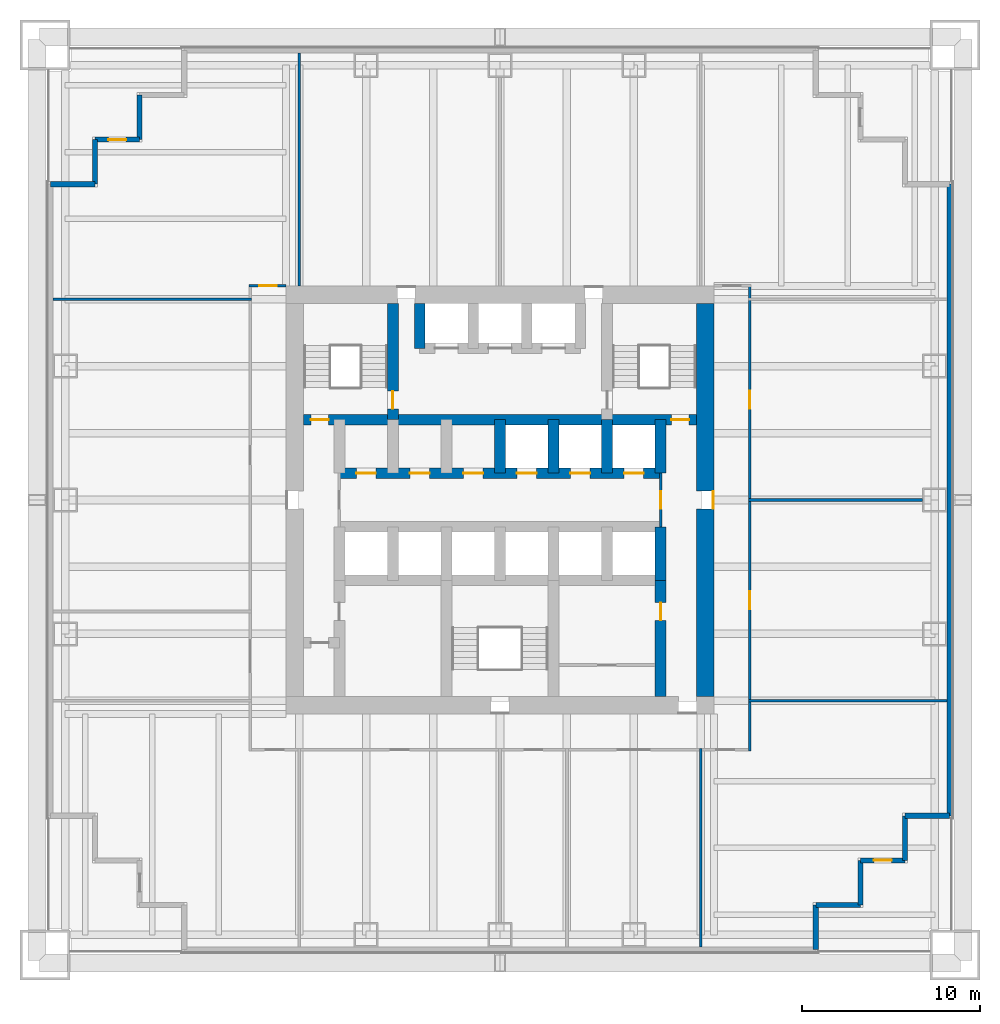
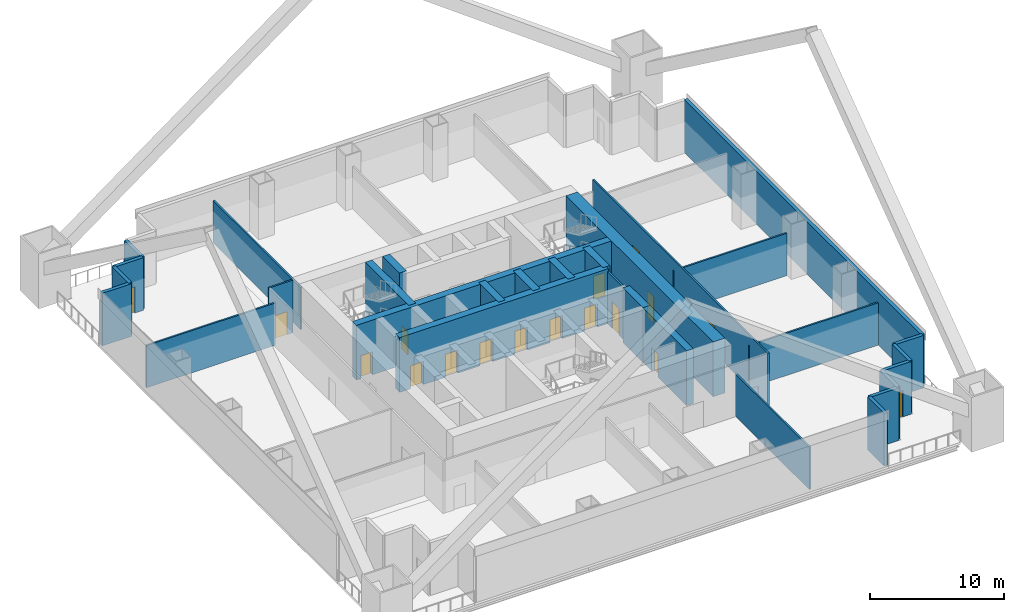
# One storey, part 3 of 6: 30 walls, 17 doors, 17 openings.
"""IFC4 building model written with IfcOpenShell, lengths in metres."""

from ifc_helpers import new_model, si_unit, direction, frame, frame_2d, origin, place, context, subcontext, project, spatial, rectangle, extrude, material, layer, layer_set, type_object, element, fill, save


model = new_model("IFC4")

# Units and contexts
model_context = context("Model", 3, precision=1e-05, world=origin(), true_north=direction((0.0, 1.0)))
body_context = subcontext(model_context, "Body", "Model", "MODEL_VIEW")
ifc_project = project(units=[si_unit("LENGTHUNIT", "METRE"), si_unit("AREAUNIT", "SQUARE_METRE"), si_unit("VOLUMEUNIT", "CUBIC_METRE"), si_unit("PLANEANGLEUNIT", "RADIAN"), si_unit("MASSUNIT", "GRAM", prefix="KILO")], contexts=[model_context])

# Site, building, storey
site_placement = place(None, origin())
site = spatial("IfcSite", under=ifc_project, at=site_placement, CompositionType="ELEMENT")
building_placement = place(site_placement, origin())
building = spatial("IfcBuilding", under=site, at=building_placement, Name="Tarangal Relay Tower", CompositionType="ELEMENT")
storey_placement = place(building_placement, frame((0.0, 0.0, 58.39990234375)))
storey = spatial("IfcBuildingStorey", under=building, at=storey_placement, Name="L11", CompositionType="ELEMENT", Elevation=58.39990234375)

# Wall, openings, doors
ifc_material_1 = material(Name="Concrete fc' 60 MPa", Category="concrete")
ifc_layer_1 = layer(ifc_material_1, 0.60009765625)
ifc_layer_set_1 = layer_set([ifc_layer_1], Name="Core inner wall 600")
wall_type_1 = type_object("IfcWallType", Name="Core inner wall 600", PredefinedType="SHEAR", material=ifc_layer_set_1)
wall_1_placement = place(storey_placement, frame((-11.0, 4.5, 0.0), z_axis=(0.0, 0.0, 1.0), x_axis=(1.0, 0.0, 0.0)))
wall_1 = element("IfcWall", 1, at=wall_1_placement, inside=storey, type_object=wall_type_1, Name="Core wall Y45 L11", PredefinedType="SHEAR", context=body_context, shape_type="SweptSolid", body=[
    extrude(rectangle(XDim=22.0, YDim=0.60009765625, at=frame_2d((11.0, 0.0))), origin(), (0.0, 0.0, 1.0), 5.0),
])
opening_1_placement = place(wall_1_placement, frame((0.39990234375, 0.0, 0.0)))
opening_1 = element("IfcOpeningElement", 2, at=opening_1_placement, cuts=wall_1, Name="Opening FD1", PredefinedType="OPENING", context=body_context, shape_type="SweptSolid", body=[
    extrude(rectangle(XDim=1.0, YDim=2.10009765625, at=frame_2d((0.5, 1.050048828125))), frame((0.0, 0.31005859375, 0.0), z_axis=(0.0, -1.0, 0.0), x_axis=(1.0, 0.0, 0.0)), (0.0, 0.0, 1.0), 0.6201171875),
])
opening_2_placement = place(wall_1_placement, frame((20.60009765625, 0.0, 0.0)))
opening_2 = element("IfcOpeningElement", 3, at=opening_2_placement, cuts=wall_1, Name="Opening FD1", PredefinedType="OPENING", context=body_context, shape_type="SweptSolid", body=[
    extrude(rectangle(XDim=1.0, YDim=2.10009765625, at=frame_2d((0.5, 1.050048828125))), frame((0.0, 0.31005859375, 0.0), z_axis=(0.0, -1.0, 0.0), x_axis=(1.0, 0.0, 0.0)), (0.0, 0.0, 1.0), 0.6201171875),
])
ifc_material_2 = material(Name="Steel door with hardwood frame", Category="steel")
door_type_1 = type_object("IfcDoorType", Name="Fire door 1000 x 2100", OperationType="SINGLE_SWING_LEFT", PredefinedType="DOOR", material=ifc_material_2)
door_1_placement = place(opening_1_placement, origin())
door_1 = element("IfcDoor", 4, at=door_1_placement, inside=storey, type_object=door_type_1, Name="Stair ST-A door from corridor L11", OperationType="SINGLE_SWING_LEFT", OverallHeight=2.10009765625, OverallWidth=1.0, PredefinedType="DOOR", context=body_context, shape_type="SweptSolid", body=[
    extrude(rectangle(XDim=1.0, YDim=2.10009765625, at=frame_2d((0.5, 1.050048828125))), frame((0.0, 0.02490234375, 0.0), z_axis=(0.0, -1.0, 0.0), x_axis=(1.0, 0.0, 0.0)), (0.0, 0.0, 1.0), 0.050048828125),
])
fill(opening_1, door_1)
door_2_placement = place(opening_2_placement, origin())
door_2 = element("IfcDoor", 5, at=door_2_placement, inside=storey, type_object=door_type_1, Name="Stair ST-B door from corridor L11", OperationType="SINGLE_SWING_LEFT", OverallHeight=2.10009765625, OverallWidth=1.0, PredefinedType="DOOR", context=body_context, shape_type="SweptSolid", body=[
    extrude(rectangle(XDim=1.0, YDim=2.10009765625, at=frame_2d((0.5, 1.050048828125))), frame((0.0, 0.02490234375, 0.0), z_axis=(0.0, -1.0, 0.0), x_axis=(1.0, 0.0, 0.0)), (0.0, 0.0, 1.0), 0.050048828125),
])
fill(opening_2, door_2)

wall_2_placement = place(storey_placement, frame((-9.0, 1.5, 0.0), z_axis=(0.0, 0.0, 1.0), x_axis=(1.0, 0.0, 0.0)))
wall_2 = element("IfcWall", 6, at=wall_2_placement, inside=storey, type_object=wall_type_1, Name="Core wall Y15 L11", PredefinedType="SHEAR", context=body_context, shape_type="SweptSolid", body=[
    extrude(rectangle(XDim=18.0, YDim=0.60009765625, at=frame_2d((9.0, 0.0))), origin(), (0.0, 0.0, 1.0), 5.0),
])
opening_3_placement = place(wall_2_placement, frame((9.949951171875, 0.0, 0.0)))
opening_3 = element("IfcOpeningElement", 7, at=opening_3_placement, cuts=wall_2, Name="Opening LD1", PredefinedType="OPENING", context=body_context, shape_type="SweptSolid", body=[
    extrude(rectangle(XDim=1.10009765625, YDim=2.10009765625, at=frame_2d((0.550048828125, 1.050048828125))), frame((0.0, 0.31005859375, 0.0), z_axis=(0.0, -1.0, 0.0), x_axis=(1.0, 0.0, 0.0)), (0.0, 0.0, 1.0), 0.6201171875),
])
opening_4_placement = place(wall_2_placement, frame((12.949951171875, 0.0, 0.0)))
opening_4 = element("IfcOpeningElement", 8, at=opening_4_placement, cuts=wall_2, Name="Opening LD1", PredefinedType="OPENING", context=body_context, shape_type="SweptSolid", body=[
    extrude(rectangle(XDim=1.10009765625, YDim=2.10009765625, at=frame_2d((0.550048828125, 1.050048828125))), frame((0.0, 0.31005859375, 0.0), z_axis=(0.0, -1.0, 0.0), x_axis=(1.0, 0.0, 0.0)), (0.0, 0.0, 1.0), 0.6201171875),
])
opening_5_placement = place(wall_2_placement, frame((15.949951171875, 0.0, 0.0)))
opening_5 = element("IfcOpeningElement", 9, at=opening_5_placement, cuts=wall_2, Name="Opening LD1", PredefinedType="OPENING", context=body_context, shape_type="SweptSolid", body=[
    extrude(rectangle(XDim=1.10009765625, YDim=2.10009765625, at=frame_2d((0.550048828125, 1.050048828125))), frame((0.0, 0.31005859375, 0.0), z_axis=(0.0, -1.0, 0.0), x_axis=(1.0, 0.0, 0.0)), (0.0, 0.0, 1.0), 0.6201171875),
])
opening_6_placement = place(wall_2_placement, frame((0.949951171875, 0.0, 0.0)))
opening_6 = element("IfcOpeningElement", 10, at=opening_6_placement, cuts=wall_2, Name="Opening D4", PredefinedType="OPENING", context=body_context, shape_type="SweptSolid", body=[
    extrude(rectangle(XDim=1.10009765625, YDim=2.10009765625, at=frame_2d((0.550048828125, 1.050048828125))), frame((0.0, 0.31005859375, 0.0), z_axis=(0.0, -1.0, 0.0), x_axis=(1.0, 0.0, 0.0)), (0.0, 0.0, 1.0), 0.6201171875),
])
opening_7_placement = place(wall_2_placement, frame((3.949951171875, 0.0, 0.0)))
opening_7 = element("IfcOpeningElement", 11, at=opening_7_placement, cuts=wall_2, Name="Opening D4", PredefinedType="OPENING", context=body_context, shape_type="SweptSolid", body=[
    extrude(rectangle(XDim=1.10009765625, YDim=2.10009765625, at=frame_2d((0.550048828125, 1.050048828125))), frame((0.0, 0.31005859375, 0.0), z_axis=(0.0, -1.0, 0.0), x_axis=(1.0, 0.0, 0.0)), (0.0, 0.0, 1.0), 0.6201171875),
])
opening_8_placement = place(wall_2_placement, frame((6.949951171875, 0.0, 0.0)))
opening_8 = element("IfcOpeningElement", 12, at=opening_8_placement, cuts=wall_2, Name="Opening D4", PredefinedType="OPENING", context=body_context, shape_type="SweptSolid", body=[
    extrude(rectangle(XDim=1.10009765625, YDim=2.10009765625, at=frame_2d((0.550048828125, 1.050048828125))), frame((0.0, 0.31005859375, 0.0), z_axis=(0.0, -1.0, 0.0), x_axis=(1.0, 0.0, 0.0)), (0.0, 0.0, 1.0), 0.6201171875),
])
door_type_2 = type_object("IfcDoorType", Name="Core room door 1100 x 2100", OperationType="SINGLE_SWING_RIGHT", PredefinedType="DOOR", material=ifc_material_2)
door_3_placement = place(opening_6_placement, origin())
door_3 = element("IfcDoor", 13, at=door_3_placement, inside=storey, type_object=door_type_2, Name="Door D4 to back-of-house plant room L11-D1", OperationType="SINGLE_SWING_RIGHT", OverallHeight=2.10009765625, OverallWidth=1.10009765625, PredefinedType="DOOR", context=body_context, shape_type="SweptSolid", body=[
    extrude(rectangle(XDim=1.10009765625, YDim=2.10009765625, at=frame_2d((0.550048828125, 1.050048828125))), frame((0.0, 0.02490234375, 0.0), z_axis=(0.0, -1.0, 0.0), x_axis=(1.0, 0.0, 0.0)), (0.0, 0.0, 1.0), 0.050048828125),
])
fill(opening_6, door_3)
door_4_placement = place(opening_7_placement, origin())
door_4 = element("IfcDoor", 14, at=door_4_placement, inside=storey, type_object=door_type_2, Name="Door D4 to staff pantry L11-D2", OperationType="SINGLE_SWING_RIGHT", OverallHeight=2.10009765625, OverallWidth=1.10009765625, PredefinedType="DOOR", context=body_context, shape_type="SweptSolid", body=[
    extrude(rectangle(XDim=1.10009765625, YDim=2.10009765625, at=frame_2d((0.550048828125, 1.050048828125))), frame((0.0, 0.02490234375, 0.0), z_axis=(0.0, -1.0, 0.0), x_axis=(1.0, 0.0, 0.0)), (0.0, 0.0, 1.0), 0.050048828125),
])
fill(opening_7, door_4)
door_5_placement = place(opening_8_placement, origin())
door_5 = element("IfcDoor", 15, at=door_5_placement, inside=storey, type_object=door_type_2, Name="Door D4 to staff wc L11-D3", OperationType="SINGLE_SWING_RIGHT", OverallHeight=2.10009765625, OverallWidth=1.10009765625, PredefinedType="DOOR", context=body_context, shape_type="SweptSolid", body=[
    extrude(rectangle(XDim=1.10009765625, YDim=2.10009765625, at=frame_2d((0.550048828125, 1.050048828125))), frame((0.0, 0.02490234375, 0.0), z_axis=(0.0, -1.0, 0.0), x_axis=(1.0, 0.0, 0.0)), (0.0, 0.0, 1.0), 0.050048828125),
])
fill(opening_8, door_5)
door_type_3 = type_object("IfcDoorType", Name="Lift landing door 1100 x 2100", OperationType="SLIDING_TO_LEFT", PredefinedType="DOOR", material=ifc_material_2)
door_6_placement = place(opening_3_placement, origin())
door_6 = element("IfcDoor", 16, at=door_6_placement, inside=storey, type_object=door_type_3, Name="Lift T1 landing door L11", OperationType="SLIDING_TO_LEFT", OverallHeight=2.10009765625, OverallWidth=1.10009765625, PredefinedType="DOOR", context=body_context, shape_type="SweptSolid", body=[
    extrude(rectangle(XDim=1.10009765625, YDim=2.10009765625, at=frame_2d((0.550048828125, 1.050048828125))), frame((0.0, 0.02490234375, 0.0), z_axis=(0.0, -1.0, 0.0), x_axis=(1.0, 0.0, 0.0)), (0.0, 0.0, 1.0), 0.050048828125),
])
fill(opening_3, door_6)
door_7_placement = place(opening_4_placement, origin())
door_7 = element("IfcDoor", 17, at=door_7_placement, inside=storey, type_object=door_type_3, Name="Lift T2 landing door L11", OperationType="SLIDING_TO_LEFT", OverallHeight=2.10009765625, OverallWidth=1.10009765625, PredefinedType="DOOR", context=body_context, shape_type="SweptSolid", body=[
    extrude(rectangle(XDim=1.10009765625, YDim=2.10009765625, at=frame_2d((0.550048828125, 1.050048828125))), frame((0.0, 0.02490234375, 0.0), z_axis=(0.0, -1.0, 0.0), x_axis=(1.0, 0.0, 0.0)), (0.0, 0.0, 1.0), 0.050048828125),
])
fill(opening_4, door_7)
door_8_placement = place(opening_5_placement, origin())
door_8 = element("IfcDoor", 18, at=door_8_placement, inside=storey, type_object=door_type_3, Name="Lift T3 landing door L11", OperationType="SLIDING_TO_LEFT", OverallHeight=2.10009765625, OverallWidth=1.10009765625, PredefinedType="DOOR", context=body_context, shape_type="SweptSolid", body=[
    extrude(rectangle(XDim=1.10009765625, YDim=2.10009765625, at=frame_2d((0.550048828125, 1.050048828125))), frame((0.0, 0.02490234375, 0.0), z_axis=(0.0, -1.0, 0.0), x_axis=(1.0, 0.0, 0.0)), (0.0, 0.0, 1.0), 0.050048828125),
])
fill(opening_5, door_8)

# Walls
for number, where, z_axis, x_axis, name in (
    (19, (9.0, 1.5, 0.0), (0.0, 0.0, 1.0), (0.0, 1.0, 0.0), "Core wall X9N L11"),
    (20, (9.0, -4.5, 0.0), (0.0, 0.0, 1.0), (0.0, 1.0, 0.0), "Core wall X9S L11"),
    (21, (0.0, 1.5, 0.0), (0.0, 0.0, 1.0), (0.0, 1.0, 0.0), "Core wall X0N L11"),
    (22, (3.0, 1.5, 0.0), (0.0, 0.0, 1.0), (0.0, 1.0, 0.0), "Core wall X3N L11"),
    (23, (6.0, 1.5, 0.0), (0.0, 0.0, 1.0), (0.0, 1.0, 0.0), "Core wall X6N L11"),
):
    element("IfcWall", number, at=place(storey_placement, frame(where, z_axis=z_axis, x_axis=x_axis)), inside=storey, type_object=wall_type_1, Name=name, PredefinedType="SHEAR", context=body_context, shape_type="SweptSolid", body=[
        extrude(rectangle(XDim=3.0, YDim=0.60009765625, at=frame_2d((1.5, 0.0))), origin(), (0.0, 0.0, 1.0), 5.0),
    ])

# Wall, opening, door
wall_3_placement = place(storey_placement, frame((-6.0, 4.5, 0.0), z_axis=(0.0, 0.0, 1.0), x_axis=(0.0, 1.0, 0.0)))
wall_3 = element("IfcWall", 24, at=wall_3_placement, inside=storey, type_object=wall_type_1, Name="Core wall XM6 L11", PredefinedType="SHEAR", context=body_context, shape_type="SweptSolid", body=[
    extrude(rectangle(XDim=6.5, YDim=0.60009765625, at=frame_2d((3.25, 0.0))), origin(), (0.0, 0.0, 1.0), 5.0),
])
opening_9_placement = place(wall_3_placement, frame((0.60009765625, 0.0, 0.0)))
opening_9 = element("IfcOpeningElement", 25, at=opening_9_placement, cuts=wall_3, Name="Opening FD1", PredefinedType="OPENING", context=body_context, shape_type="SweptSolid", body=[
    extrude(rectangle(XDim=1.0, YDim=2.10009765625, at=frame_2d((0.5, 1.050048828125))), frame((0.0, 0.31005859375, 0.0), z_axis=(0.0, -1.0, 0.0), x_axis=(1.0, 0.0, 0.0)), (0.0, 0.0, 1.0), 0.6201171875),
])
door_9_placement = place(opening_9_placement, origin())
door_9 = element("IfcDoor", 26, at=door_9_placement, inside=storey, type_object=door_type_1, Name="Stair ST-A door from fire-fighting lobby L11", OperationType="SINGLE_SWING_LEFT", OverallHeight=2.10009765625, OverallWidth=1.0, PredefinedType="DOOR", context=body_context, shape_type="SweptSolid", body=[
    extrude(rectangle(XDim=1.0, YDim=2.10009765625, at=frame_2d((0.5, 1.050048828125))), frame((0.0, 0.02490234375, 0.0), z_axis=(0.0, -1.0, 0.0), x_axis=(1.0, 0.0, 0.0)), (0.0, 0.0, 1.0), 0.050048828125),
])
fill(opening_9, door_9)

# Wall
wall_4_placement = place(storey_placement, frame((-4.5, 8.5, 0.0), z_axis=(0.0, 0.0, 1.0), x_axis=(0.0, 1.0, 0.0)))
element("IfcWall", 27, at=wall_4_placement, inside=storey, type_object=wall_type_1, Name="Core wall XM45 L11", PredefinedType="SHEAR", context=body_context, shape_type="SweptSolid", body=[
    extrude(rectangle(XDim=2.5, YDim=0.60009765625, at=frame_2d((1.25, 0.0))), origin(), (0.0, 0.0, 1.0), 5.0),
])

# Wall, opening, door
wall_5_placement = place(storey_placement, frame((9.0, -11.0, 0.0), z_axis=(0.0, 0.0, 1.0), x_axis=(0.0, 1.0, 0.0)))
wall_5 = element("IfcWall", 28, at=wall_5_placement, inside=storey, type_object=wall_type_1, Name="Core wall X9W L11", PredefinedType="SHEAR", context=body_context, shape_type="SweptSolid", body=[
    extrude(rectangle(XDim=6.5, YDim=0.60009765625, at=frame_2d((3.25, 0.0))), origin(), (0.0, 0.0, 1.0), 5.0),
])
opening_10_placement = place(wall_5_placement, frame((4.25, 0.0, 0.0)))
opening_10 = element("IfcOpeningElement", 29, at=opening_10_placement, cuts=wall_5, Name="Opening D1", PredefinedType="OPENING", context=body_context, shape_type="SweptSolid", body=[
    extrude(rectangle(XDim=1.0, YDim=2.10009765625, at=frame_2d((0.5, 1.050048828125))), frame((0.0, 0.31005859375, 0.0), z_axis=(0.0, -1.0, 0.0), x_axis=(1.0, 0.0, 0.0)), (0.0, 0.0, 1.0), 0.6201171875),
])
ifc_material_3 = material(Name="Hardwood door", Category="wood")
door_type_4 = type_object("IfcDoorType", Name="WC door 1000 x 2100", OperationType="SINGLE_SWING_LEFT", PredefinedType="DOOR", material=ifc_material_3)
door_10_placement = place(opening_10_placement, origin())
door_10 = element("IfcDoor", 30, at=door_10_placement, inside=storey, type_object=door_type_4, Name="Female WC door L11", OperationType="SINGLE_SWING_LEFT", OverallHeight=2.10009765625, OverallWidth=1.0, PredefinedType="DOOR", context=body_context, shape_type="SweptSolid", body=[
    extrude(rectangle(XDim=1.0, YDim=2.10009765625, at=frame_2d((0.5, 1.050048828125))), frame((0.0, 0.02490234375, 0.0), z_axis=(0.0, -1.0, 0.0), x_axis=(1.0, 0.0, 0.0)), (0.0, 0.0, 1.0), 0.050048828125),
])
fill(opening_10, door_10)

ifc_layer_2 = layer(ifc_material_1, 1.0)
ifc_layer_set_2 = layer_set([ifc_layer_2], Name="Core wall 1000")
wall_type_2 = type_object("IfcWallType", Name="Core wall 1000", PredefinedType="SHEAR", material=ifc_layer_set_2)
wall_6_placement = place(storey_placement, frame((11.5, 11.0, 0.0), z_axis=(0.0, 0.0, 1.0), x_axis=(0.0, -1.0, 0.0)))
wall_6 = element("IfcWall", 31, at=wall_6_placement, inside=storey, type_object=wall_type_2, Name="Core wall E L11", PredefinedType="SHEAR", context=body_context, shape_type="SweptSolid", body=[
    extrude(rectangle(XDim=22.0, YDim=1.0, at=frame_2d((11.0, 0.0))), origin(), (0.0, 0.0, 1.0), 5.0),
])
opening_11_placement = place(wall_6_placement, frame((10.5, 0.0, 0.0)))
opening_11 = element("IfcOpeningElement", 32, at=opening_11_placement, cuts=wall_6, Name="Opening FD3", PredefinedType="OPENING", context=body_context, shape_type="SweptSolid", body=[
    extrude(rectangle(XDim=1.0, YDim=2.39990234375, at=frame_2d((0.5, 1.199951171875))), frame((0.0, 0.510009765625, 0.0), z_axis=(0.0, -1.0, 0.0), x_axis=(1.0, 0.0, 0.0)), (0.0, 0.0, 1.0), 1.02001953125),
])
door_type_5 = type_object("IfcDoorType", Name="Fire door 1000 x 2400 core entry", OperationType="SINGLE_SWING_RIGHT", PredefinedType="DOOR", material=ifc_material_2)
door_11_placement = place(opening_11_placement, origin())
door_11 = element("IfcDoor", 33, at=door_11_placement, inside=storey, type_object=door_type_5, Name="Core entry door east L11", OperationType="SINGLE_SWING_RIGHT", OverallHeight=2.39990234375, OverallWidth=1.0, PredefinedType="DOOR", context=body_context, shape_type="SweptSolid", body=[
    extrude(rectangle(XDim=1.0, YDim=2.39990234375, at=frame_2d((0.5, 1.199951171875))), frame((0.0, 0.48486328125, 0.0), z_axis=(0.0, -1.0, 0.0), x_axis=(1.0, 0.0, 0.0)), (0.0, 0.0, 1.0), 0.050048828125),
])
fill(opening_11, door_11)

# Walls
ifc_material_4 = material(Name="Insulated precast concrete fc' 40 MPa", Category="concrete")
ifc_layer_3 = layer(ifc_material_4, 0.300048828125)
ifc_layer_set_3 = layer_set([ifc_layer_3], Name="Insulated precast concrete fc' 40 MPa")
wall_type_3 = type_object("IfcWallType", Name="Facade wall precast 300", PredefinedType="SOLIDWALL", material=ifc_layer_set_3)
wall_7_placement = place(storey_placement, frame((25.199951171875, 17.699951171875, 0.0), z_axis=(0.0, 0.0, 1.0), x_axis=(0.0, -1.0, 0.0)))
element("IfcWall", 34, at=wall_7_placement, inside=storey, type_object=wall_type_3, Name="Facade wall E facade L11", PredefinedType="SOLIDWALL", context=body_context, shape_type="SweptSolid", body=[
    extrude(rectangle(XDim=35.39990234375, YDim=0.300048828125, at=frame_2d((17.699951171875, 0.0))), origin(), (0.0, 0.0, 1.0), 4.800048828125),
])
for number, where, z_axis, x_axis, name in (
    (35, (25.199951171875, -17.699951171875, 0.0), (0.0, 0.0, 1.0), (-1.0, 0.0, 0.0), "Facade wall E facade L11"),
    (36, (22.699951171875, -17.699951171875, 0.0), (0.0, 0.0, 1.0), (0.0, -1.0, 0.0), "Facade wall E facade L11"),
):
    element("IfcWall", number, at=place(storey_placement, frame(where, z_axis=z_axis, x_axis=x_axis)), inside=storey, type_object=wall_type_3, Name=name, PredefinedType="SOLIDWALL", context=body_context, shape_type="SweptSolid", body=[
        extrude(rectangle(XDim=2.5, YDim=0.300048828125, at=frame_2d((1.25, 0.0))), origin(), (0.0, 0.0, 1.0), 4.800048828125),
    ])

# Wall, opening, door
wall_8_placement = place(storey_placement, frame((22.699951171875, -20.199951171875, 0.0), z_axis=(0.0, 0.0, 1.0), x_axis=(-1.0, 0.0, 0.0)))
wall_8 = element("IfcWall", 37, at=wall_8_placement, inside=storey, type_object=wall_type_3, Name="Facade wall E facade L11", PredefinedType="SOLIDWALL", context=body_context, shape_type="SweptSolid", body=[
    extrude(rectangle(XDim=2.5, YDim=0.300048828125, at=frame_2d((1.25, 0.0))), origin(), (0.0, 0.0, 1.0), 4.800048828125),
])
opening_12_placement = place(wall_8_placement, frame((0.75, 0.0, 0.0)))
opening_12 = element("IfcOpeningElement", 38, at=opening_12_placement, cuts=wall_8, Name="Opening TD1", PredefinedType="OPENING", context=body_context, shape_type="SweptSolid", body=[
    extrude(rectangle(XDim=1.0, YDim=2.39990234375, at=frame_2d((0.5, 1.199951171875))), frame((0.0, 0.159912109375, 0.0), z_axis=(0.0, -1.0, 0.0), x_axis=(1.0, 0.0, 0.0)), (0.0, 0.0, 1.0), 0.320068359375),
])
ifc_material_5 = material(Name="Aluminium glazed door", Category="aluminium")
door_type_6 = type_object("IfcDoorType", Name="Terrace door 1000 x 2400", OperationType="SINGLE_SWING_RIGHT", PredefinedType="DOOR", material=ifc_material_5)
door_12_placement = place(opening_12_placement, origin())
door_12 = element("IfcDoor", 39, at=door_12_placement, inside=storey, type_object=door_type_6, Name="Terrace door TD1 SE L11", OperationType="SINGLE_SWING_RIGHT", OverallHeight=2.39990234375, OverallWidth=1.0, PredefinedType="DOOR", context=body_context, shape_type="SweptSolid", body=[
    extrude(rectangle(XDim=1.0, YDim=2.39990234375, at=frame_2d((0.5, 1.199951171875))), frame((0.0, 0.02490234375, 0.0), z_axis=(0.0, -1.0, 0.0), x_axis=(1.0, 0.0, 0.0)), (0.0, 0.0, 1.0), 0.050048828125),
])
fill(opening_12, door_12)

# Walls
for number, where, z_axis, x_axis, name in (
    (40, (20.199951171875, -20.199951171875, 0.0), (0.0, 0.0, 1.0), (0.0, -1.0, 0.0), "Facade wall E facade L11"),
    (41, (20.199951171875, -22.699951171875, 0.0), (0.0, 0.0, 1.0), (-1.0, 0.0, 0.0), "Facade wall E facade L11"),
    (42, (17.699951171875, -22.699951171875, 0.0), (0.0, 0.0, 1.0), (0.0, -1.0, 0.0), "Facade wall E facade L11"),
    (43, (-25.199951171875, 17.699951171875, 0.0), (0.0, 0.0, 1.0), (1.0, 0.0, 0.0), "Facade wall W facade L11"),
    (44, (-22.699951171875, 17.699951171875, 0.0), (0.0, 0.0, 1.0), (0.0, 1.0, 0.0), "Facade wall W facade L11"),
):
    element("IfcWall", number, at=place(storey_placement, frame(where, z_axis=z_axis, x_axis=x_axis)), inside=storey, type_object=wall_type_3, Name=name, PredefinedType="SOLIDWALL", context=body_context, shape_type="SweptSolid", body=[
        extrude(rectangle(XDim=2.5, YDim=0.300048828125, at=frame_2d((1.25, 0.0))), origin(), (0.0, 0.0, 1.0), 4.800048828125),
    ])

# Wall, opening, door
wall_9_placement = place(storey_placement, frame((-22.699951171875, 20.199951171875, 0.0), z_axis=(0.0, 0.0, 1.0), x_axis=(1.0, 0.0, 0.0)))
wall_9 = element("IfcWall", 45, at=wall_9_placement, inside=storey, type_object=wall_type_3, Name="Facade wall W facade L11", PredefinedType="SOLIDWALL", context=body_context, shape_type="SweptSolid", body=[
    extrude(rectangle(XDim=2.5, YDim=0.300048828125, at=frame_2d((1.25, 0.0))), origin(), (0.0, 0.0, 1.0), 4.800048828125),
])
opening_13_placement = place(wall_9_placement, frame((0.75, 0.0, 0.0)))
opening_13 = element("IfcOpeningElement", 46, at=opening_13_placement, cuts=wall_9, Name="Opening TD1", PredefinedType="OPENING", context=body_context, shape_type="SweptSolid", body=[
    extrude(rectangle(XDim=1.0, YDim=2.39990234375, at=frame_2d((0.5, 1.199951171875))), frame((0.0, 0.159912109375, 0.0), z_axis=(0.0, -1.0, 0.0), x_axis=(1.0, 0.0, 0.0)), (0.0, 0.0, 1.0), 0.320068359375),
])
door_13_placement = place(opening_13_placement, origin())
door_13 = element("IfcDoor", 47, at=door_13_placement, inside=storey, type_object=door_type_6, Name="Terrace door TD1 NW L11", OperationType="SINGLE_SWING_RIGHT", OverallHeight=2.39990234375, OverallWidth=1.0, PredefinedType="DOOR", context=body_context, shape_type="SweptSolid", body=[
    extrude(rectangle(XDim=1.0, YDim=2.39990234375, at=frame_2d((0.5, 1.199951171875))), frame((0.0, 0.02490234375, 0.0), z_axis=(0.0, -1.0, 0.0), x_axis=(1.0, 0.0, 0.0)), (0.0, 0.0, 1.0), 0.050048828125),
])
fill(opening_13, door_13)

# Walls
wall_10_placement = place(storey_placement, frame((-20.199951171875, 20.199951171875, 0.0), z_axis=(0.0, 0.0, 1.0), x_axis=(0.0, 1.0, 0.0)))
element("IfcWall", 48, at=wall_10_placement, inside=storey, type_object=wall_type_3, Name="Facade wall W facade L11", PredefinedType="SOLIDWALL", context=body_context, shape_type="SweptSolid", body=[
    extrude(rectangle(XDim=2.5, YDim=0.300048828125, at=frame_2d((1.25, 0.0))), origin(), (0.0, 0.0, 1.0), 4.800048828125),
])
ifc_material_6 = material(Name="Gypsum board on steel studs", Category="steel")
ifc_layer_4 = layer(ifc_material_6, 0.14990234375)
ifc_layer_set_4 = layer_set([ifc_layer_4], Name="Partition 150")
wall_type_4 = type_object("IfcWallType", Name="Partition 150", PredefinedType="PARTITIONING", material=ifc_layer_set_4)
wall_11_placement = place(storey_placement, frame((13.925048828125, -11.25, 0.0), z_axis=(0.0, 0.0, 1.0), x_axis=(1.0, 0.0, 0.0)))
element("IfcWall", 49, at=wall_11_placement, inside=storey, type_object=wall_type_4, Name="Partition PT1 L11", PredefinedType="PARTITIONING", context=body_context, shape_type="SweptSolid", body=[
    extrude(rectangle(XDim=11.125, YDim=0.14990234375, at=frame_2d((5.5625, 0.0))), origin(), (0.0, 0.0, 1.0), 3.852783203125),
])
wall_12_placement = place(storey_placement, frame((13.925048828125, 0.0, 0.0), z_axis=(0.0, 0.0, 1.0), x_axis=(1.0, 0.0, 0.0)))
element("IfcWall", 50, at=wall_12_placement, inside=storey, type_object=wall_type_4, Name="Partition PT1 L11", PredefinedType="PARTITIONING", context=body_context, shape_type="SweptSolid", body=[
    extrude(rectangle(XDim=9.764892578125, YDim=0.14990234375, at=frame_2d((4.88232421875, 0.0))), origin(), (0.0, 0.0, 1.0), 3.852783203125),
])
wall_13_placement = place(storey_placement, frame((-25.050048828125, 11.25, 0.0), z_axis=(0.0, 0.0, 1.0), x_axis=(1.0, 0.0, 0.0)))
element("IfcWall", 51, at=wall_13_placement, inside=storey, type_object=wall_type_4, Name="Partition PT1 L11", PredefinedType="PARTITIONING", context=body_context, shape_type="SweptSolid", body=[
    extrude(rectangle(XDim=11.125, YDim=0.14990234375, at=frame_2d((5.5625, 0.0))), origin(), (0.0, 0.0, 1.0), 3.852783203125),
])

# Wall, opening, door
wall_14_placement = place(storey_placement, frame((-14.074951171875, 12.0, 0.0), z_axis=(0.0, 0.0, 1.0), x_axis=(1.0, 0.0, 0.0)))
wall_14 = element("IfcWall", 52, at=wall_14_placement, inside=storey, type_object=wall_type_4, Name="Partition PT1 L11", PredefinedType="PARTITIONING", context=body_context, shape_type="SweptSolid", body=[
    extrude(rectangle(XDim=2.074951171875, YDim=0.14990234375, at=frame_2d((1.03759765625, 0.0))), origin(), (0.0, 0.0, 1.0), 4.800048828125),
])
opening_14_placement = place(wall_14_placement, frame((0.574951171875, 0.0, 0.0)))
opening_14 = element("IfcOpeningElement", 53, at=opening_14_placement, cuts=wall_14, Name="Opening D2", PredefinedType="OPENING", context=body_context, shape_type="SweptSolid", body=[
    extrude(rectangle(XDim=1.0, YDim=2.10009765625, at=frame_2d((0.5, 1.050048828125))), frame((0.0, 0.0849609375, 0.0), z_axis=(0.0, -1.0, 0.0), x_axis=(1.0, 0.0, 0.0)), (0.0, 0.0, 1.0), 0.169921875),
])
door_type_7 = type_object("IfcDoorType", Name="Door 1000 x 2100", OperationType="SINGLE_SWING_LEFT", PredefinedType="DOOR", material=ifc_material_3)
door_14_placement = place(opening_14_placement, origin())
door_14 = element("IfcDoor", 54, at=door_14_placement, inside=storey, type_object=door_type_7, Name="Door D2 to rack staging room L11-14", OperationType="SINGLE_SWING_LEFT", OverallHeight=2.10009765625, OverallWidth=1.0, PredefinedType="DOOR", context=body_context, shape_type="SweptSolid", body=[
    extrude(rectangle(XDim=1.0, YDim=2.10009765625, at=frame_2d((0.5, 1.050048828125))), frame((0.0, 0.02490234375, 0.0), z_axis=(0.0, -1.0, 0.0), x_axis=(1.0, 0.0, 0.0)), (0.0, 0.0, 1.0), 0.050048828125),
])
fill(opening_14, door_14)

# Walls
wall_15_placement = place(storey_placement, frame((-11.25, 12.0, 0.0), z_axis=(0.0, 0.0, 1.0), x_axis=(0.0, 1.0, 0.0)))
element("IfcWall", 55, at=wall_15_placement, inside=storey, type_object=wall_type_4, Name="Partition PT1 L11", PredefinedType="PARTITIONING", context=body_context, shape_type="SweptSolid", body=[
    extrude(rectangle(XDim=13.050048828125, YDim=0.14990234375, at=frame_2d((6.52490234375, 0.0))), origin(), (0.0, 0.0, 1.0), 3.852783203125),
])
wall_16_placement = place(storey_placement, frame((11.25, -25.050048828125, 0.0), z_axis=(0.0, 0.0, 1.0), x_axis=(0.0, 1.0, 0.0)))
element("IfcWall", 56, at=wall_16_placement, inside=storey, type_object=wall_type_4, Name="Partition PT1 L11", PredefinedType="PARTITIONING", context=body_context, shape_type="SweptSolid", body=[
    extrude(rectangle(XDim=11.125, YDim=0.14990234375, at=frame_2d((5.5625, 0.0))), origin(), (0.0, 0.0, 1.0), 3.852783203125),
])

# Wall, openings, doors
wall_17_placement = place(storey_placement, frame((14.0, -14.074951171875, 0.0), z_axis=(0.0, 0.0, 1.0), x_axis=(0.0, 1.0, 0.0)))
wall_17 = element("IfcWall", 57, at=wall_17_placement, inside=storey, type_object=wall_type_4, Name="Partition PT1 L11", PredefinedType="PARTITIONING", context=body_context, shape_type="SweptSolid", body=[
    extrude(rectangle(XDim=26.14990234375, YDim=0.14990234375, at=frame_2d((13.074951171875, 0.0))), origin(), (0.0, 0.0, 1.0), 4.800048828125),
])
opening_15_placement = place(wall_17_placement, frame((19.199951171875, 0.0, 0.0)))
opening_15 = element("IfcOpeningElement", 58, at=opening_15_placement, cuts=wall_17, Name="Opening SD1", PredefinedType="OPENING", context=body_context, shape_type="SweptSolid", body=[
    extrude(rectangle(XDim=1.0, YDim=2.39990234375, at=frame_2d((0.5, 1.199951171875))), frame((0.0, 0.0849609375, 0.0), z_axis=(0.0, -1.0, 0.0), x_axis=(1.0, 0.0, 0.0)), (0.0, 0.0, 1.0), 0.169921875),
])
opening_16_placement = place(wall_17_placement, frame((7.949951171875, 0.0, 0.0)))
opening_16 = element("IfcOpeningElement", 59, at=opening_16_placement, cuts=wall_17, Name="Opening SD1", PredefinedType="OPENING", context=body_context, shape_type="SweptSolid", body=[
    extrude(rectangle(XDim=1.0, YDim=2.39990234375, at=frame_2d((0.5, 1.199951171875))), frame((0.0, 0.0849609375, 0.0), z_axis=(0.0, -1.0, 0.0), x_axis=(1.0, 0.0, 0.0)), (0.0, 0.0, 1.0), 0.169921875),
])
door_type_8 = type_object("IfcDoorType", Name="Suite entrance door 1000 x 2400", OperationType="SINGLE_SWING_RIGHT", PredefinedType="DOOR", material=ifc_material_2)
door_15_placement = place(opening_15_placement, origin())
door_15 = element("IfcDoor", 60, at=door_15_placement, inside=storey, type_object=door_type_8, Name="Door SD1 to colocation suite L11-04", OperationType="SINGLE_SWING_RIGHT", OverallHeight=2.39990234375, OverallWidth=1.0, PredefinedType="DOOR", context=body_context, shape_type="SweptSolid", body=[
    extrude(rectangle(XDim=1.0, YDim=2.39990234375, at=frame_2d((0.5, 1.199951171875))), frame((0.0, 0.02490234375, 0.0), z_axis=(0.0, -1.0, 0.0), x_axis=(1.0, 0.0, 0.0)), (0.0, 0.0, 1.0), 0.050048828125),
])
fill(opening_15, door_15)
door_16_placement = place(opening_16_placement, origin())
door_16 = element("IfcDoor", 61, at=door_16_placement, inside=storey, type_object=door_type_8, Name="Door SD1 to colocation suite L11-05", OperationType="SINGLE_SWING_RIGHT", OverallHeight=2.39990234375, OverallWidth=1.0, PredefinedType="DOOR", context=body_context, shape_type="SweptSolid", body=[
    extrude(rectangle(XDim=1.0, YDim=2.39990234375, at=frame_2d((0.5, 1.199951171875))), frame((0.0, 0.02490234375, 0.0), z_axis=(0.0, -1.0, 0.0), x_axis=(1.0, 0.0, 0.0)), (0.0, 0.0, 1.0), 0.050048828125),
])
fill(opening_16, door_16)

# Wall, opening, door
wall_18_placement = place(storey_placement, frame((9.0, -1.5, 0.0), z_axis=(0.0, 0.0, 1.0), x_axis=(0.0, 1.0, 0.0)))
wall_18 = element("IfcWall", 62, at=wall_18_placement, inside=storey, type_object=wall_type_4, Name="Partition PT1 L11", PredefinedType="PARTITIONING", context=body_context, shape_type="SweptSolid", body=[
    extrude(rectangle(XDim=3.0, YDim=0.14990234375, at=frame_2d((1.5, 0.0))), origin(), (0.0, 0.0, 1.0), 4.75),
])
opening_17_placement = place(wall_18_placement, frame((1.0, 0.0, 0.0)))
opening_17 = element("IfcOpeningElement", 63, at=opening_17_placement, cuts=wall_18, Name="Opening FD3", PredefinedType="OPENING", context=body_context, shape_type="SweptSolid", body=[
    extrude(rectangle(XDim=1.0, YDim=2.39990234375, at=frame_2d((0.5, 1.199951171875))), frame((0.0, 0.0849609375, 0.0), z_axis=(0.0, -1.0, 0.0), x_axis=(1.0, 0.0, 0.0)), (0.0, 0.0, 1.0), 0.169921875),
])
door_17_placement = place(opening_17_placement, origin())
door_17 = element("IfcDoor", 64, at=door_17_placement, inside=storey, type_object=door_type_5, Name="Lift lobby door FD3 to the east corridor L11", OperationType="SINGLE_SWING_RIGHT", OverallHeight=2.39990234375, OverallWidth=1.0, PredefinedType="DOOR", context=body_context, shape_type="SweptSolid", body=[
    extrude(rectangle(XDim=1.0, YDim=2.39990234375, at=frame_2d((0.5, 1.199951171875))), frame((0.0, 0.02490234375, 0.0), z_axis=(0.0, -1.0, 0.0), x_axis=(1.0, 0.0, 0.0)), (0.0, 0.0, 1.0), 0.050048828125),
])
fill(opening_17, door_17)

save(model, "model.ifc")
